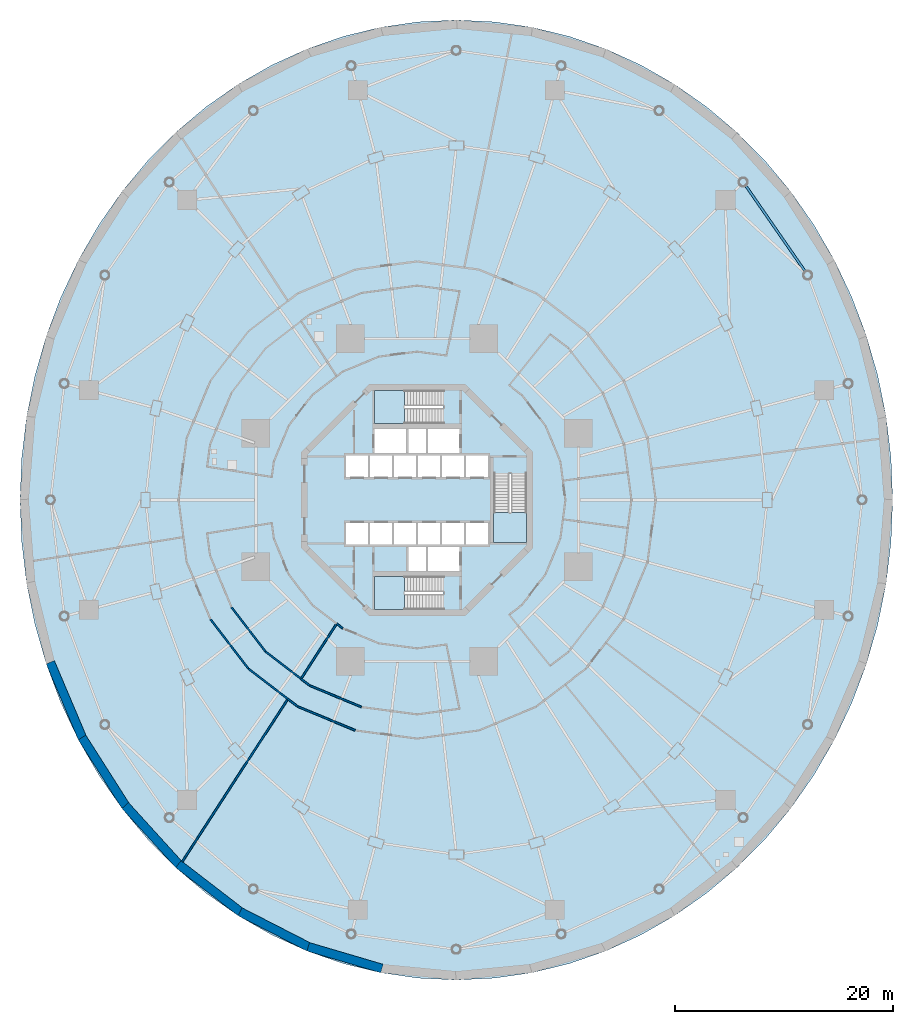
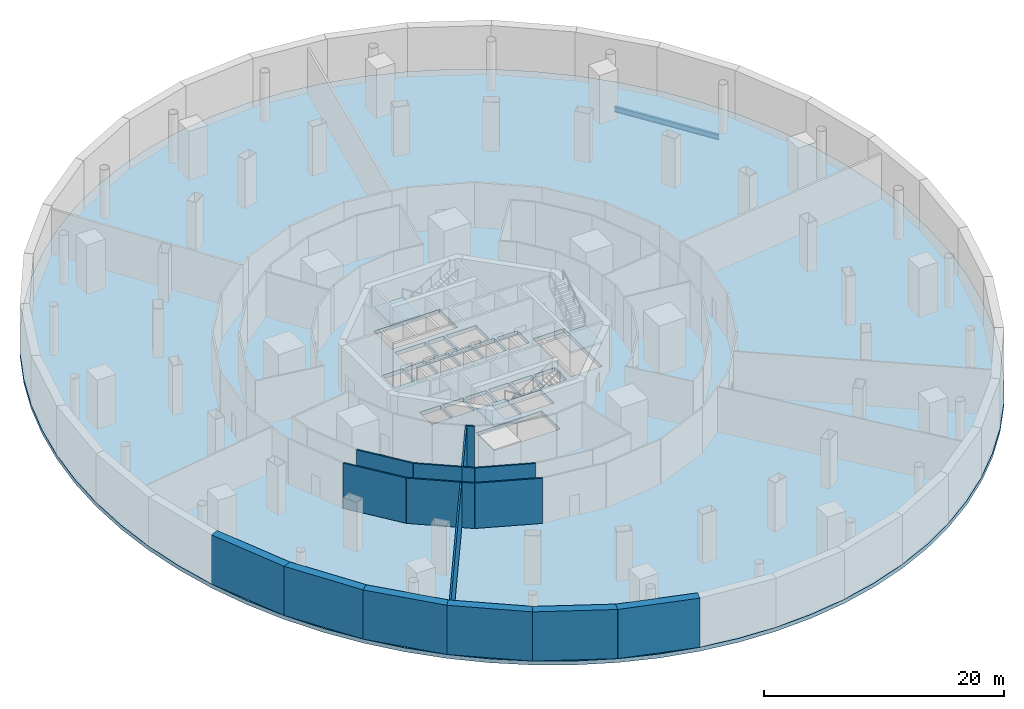
# One storey, part 5 of 14: 17 walls, 4 slabs, 1 beam, 3 elements without a shape of their own.
"""IFC4 building model written with IfcOpenShell, lengths in metres."""

from ifc_helpers import new_model, si_unit, direction, frame, frame_2d, origin, origin_2d, place, context, subcontext, project, spatial, polyline, rectangle, i_section, outline, extrude, material, layer, layer_set, material_profile, profile_set, type_object, element, aggregate, save


model = new_model("IFC4")

# Units and contexts
model_context = context("Model", 3, precision=1e-05, world=origin(), true_north=direction((0.0, 1.0)))
body_context = subcontext(model_context, "Body", "Model", "MODEL_VIEW")
ifc_project = project(units=[si_unit("LENGTHUNIT", "METRE"), si_unit("AREAUNIT", "SQUARE_METRE"), si_unit("VOLUMEUNIT", "CUBIC_METRE"), si_unit("PLANEANGLEUNIT", "RADIAN"), si_unit("MASSUNIT", "GRAM", prefix="KILO")], contexts=[model_context])

# Site, building, storey
site_placement = place(None, origin())
site = spatial("IfcSite", under=ifc_project, at=site_placement, CompositionType="ELEMENT")
building_placement = place(site_placement, origin())
building = spatial("IfcBuilding", under=site, at=building_placement, Name="Nagisa Residences", CompositionType="ELEMENT")
storey_placement = place(building_placement, frame((0.0, 0.0, -5.0)))
storey = spatial("IfcBuildingStorey", under=building, at=storey_placement, Name="B1", CompositionType="ELEMENT", Elevation=-5.0)

# Beam
ifc_material_1 = material(Name="Steel ASTM A572 Gr 50", Category="steel")
ifc_material_profile = material_profile(ifc_material_1, i_section(OverallWidth=0.214111328125, OverallDepth=0.549072265625, WebThickness=0.0146484375, FlangeThickness=0.023681640625, at=origin_2d()), Name="W530x138")
ifc_profile_set = profile_set([ifc_material_profile], Name="Steel ASTM A572 Gr 50")
beam_type = type_object("IfcBeamType", Name="Atrium ring beam W530x138", PredefinedType="BEAM", material=ifc_profile_set)
beam_placement = place(storey_placement, frame((35.595947265625, 20.917724609375, -0.674560546875), z_axis=(-0.569488756983, 0.821999121453, 0.0), x_axis=(-0.821999121453, -0.569488756983, 0.0)))
element("IfcBeam", 1, at=beam_placement, inside=storey, type_object=beam_type, Name="beam:B1:ab03", PredefinedType="BEAM", context=body_context, shape_type="SweptSolid", body=[
    extrude(i_section(OverallWidth=0.214111328125, OverallDepth=0.549072265625, WebThickness=0.0146484375, FlangeThickness=0.023681640625, at=origin_2d()), origin(), (0.0, 0.0, 1.0), 9.607666015625),
])

# Slab
ifc_material_2 = material(Name="Concrete C40", Category="concrete")
ifc_layer_1 = layer(ifc_material_2, 0.39990234375)
ifc_layer_set_1 = layer_set([ifc_layer_1], Name="Floor slab 400")
slab_type_1 = type_object("IfcSlabType", Name="Floor slab 400", PredefinedType="FLOOR", material=ifc_layer_set_1)
slab_1_placement = place(storey_placement, frame((0.0, 0.0, -0.39990234375)))
element("IfcSlab", 2, at=slab_1_placement, inside=storey, type_object=slab_type_1, Name="slab:B1:floor", PredefinedType="FLOOR", context=body_context, shape_type="SweptSolid", body=[
    extrude(outline(polyline([(43.60009765625, 0.0), (43.44775390625, 3.8349609375), (42.992431640625, 7.640625), (42.237060546875, 11.387939453125), (41.187744140625, 15.048828125), (39.852294921875, 18.59521484375), (38.240966796875, 22.0), (36.365966796875, 25.2373046875), (34.24169921875, 28.28271484375), (31.88427734375, 31.11279296875), (29.3115234375, 33.7060546875), (26.54296875, 36.042724609375), (23.60009765625, 38.105224609375), (20.504638671875, 39.87744140625), (17.28076171875, 41.346435546875), (13.952880859375, 42.500732421875), (10.5458984375, 43.33154296875), (7.086181640625, 43.83251953125), (3.60009765625, 44.0), (0.11376953125, 43.83251953125), (-3.345947265625, 43.33154296875), (-6.752685546875, 42.500732421875), (-10.080810546875, 41.346435546875), (-13.3046875, 39.87744140625), (-16.39990234375, 38.105224609375), (-19.343017578125, 36.042724609375), (-22.111572265625, 33.7060546875), (-24.684326171875, 31.11279296875), (-27.041748046875, 28.28271484375), (-29.166015625, 25.2373046875), (-31.041015625, 22.0), (-32.65234375, 18.59521484375), (-33.98779296875, 15.048828125), (-35.037109375, 11.387939453125), (-35.792236328125, 7.640625), (-36.247802734375, 3.8349609375), (-36.39990234375, 0.0), (-36.247802734375, -3.8349609375), (-35.792236328125, -7.640625), (-35.037109375, -11.387939453125), (-33.98779296875, -15.048828125), (-32.65234375, -18.59521484375), (-31.041015625, -22.0), (-29.166015625, -25.2373046875), (-27.041748046875, -28.28271484375), (-24.684326171875, -31.11279296875), (-22.111572265625, -33.7060546875), (-19.343017578125, -36.042724609375), (-16.39990234375, -38.105224609375), (-13.3046875, -39.87744140625), (-10.080810546875, -41.346435546875), (-6.752685546875, -42.500732421875), (-3.345947265625, -43.33154296875), (0.11376953125, -43.83251953125), (3.60009765625, -44.0), (7.086181640625, -43.83251953125), (10.5458984375, -43.33154296875), (13.952880859375, -42.500732421875), (17.28076171875, -41.346435546875), (20.504638671875, -39.87744140625), (23.60009765625, -38.105224609375), (26.54296875, -36.042724609375), (29.3115234375, -33.7060546875), (31.88427734375, -31.11279296875), (34.24169921875, -28.28271484375), (36.365966796875, -25.2373046875), (38.240966796875, -22.0), (39.852294921875, -18.59521484375), (41.187744140625, -15.048828125), (42.237060546875, -11.387939453125), (42.992431640625, -7.640625), (43.44775390625, -3.8349609375), (43.60009765625, 0.0)]), holes=[polyline([(-4.5, 2.10009765625), (-4.5, 4.10009765625), (-6.5, 4.10009765625), (-6.5, 2.10009765625), (-4.5, 2.10009765625)]), polyline([(-2.300048828125, 2.10009765625), (-2.300048828125, 4.10009765625), (-4.300048828125, 4.10009765625), (-4.300048828125, 2.10009765625), (-2.300048828125, 2.10009765625)]), polyline([(-0.10009765625, 2.10009765625), (-0.10009765625, 4.10009765625), (-2.10009765625, 4.10009765625), (-2.10009765625, 2.10009765625), (-0.10009765625, 2.10009765625)]), polyline([(2.10009765625, 2.10009765625), (2.10009765625, 4.10009765625), (0.10009765625, 4.10009765625), (0.10009765625, 2.10009765625), (2.10009765625, 2.10009765625)]), polyline([(4.300048828125, 2.10009765625), (4.300048828125, 4.10009765625), (2.300048828125, 4.10009765625), (2.300048828125, 2.10009765625), (4.300048828125, 2.10009765625)]), polyline([(6.5, 2.10009765625), (6.5, 4.10009765625), (4.5, 4.10009765625), (4.5, 2.10009765625), (6.5, 2.10009765625)]), polyline([(-4.5, -4.10009765625), (-4.5, -2.10009765625), (-6.5, -2.10009765625), (-6.5, -4.10009765625), (-4.5, -4.10009765625)]), polyline([(-2.300048828125, -4.10009765625), (-2.300048828125, -2.10009765625), (-4.300048828125, -2.10009765625), (-4.300048828125, -4.10009765625), (-2.300048828125, -4.10009765625)]), polyline([(-0.10009765625, -4.10009765625), (-0.10009765625, -2.10009765625), (-2.10009765625, -2.10009765625), (-2.10009765625, -4.10009765625), (-0.10009765625, -4.10009765625)]), polyline([(2.10009765625, -4.10009765625), (2.10009765625, -2.10009765625), (0.10009765625, -2.10009765625), (0.10009765625, -4.10009765625), (2.10009765625, -4.10009765625)]), polyline([(4.300048828125, -4.10009765625), (4.300048828125, -2.10009765625), (2.300048828125, -2.10009765625), (2.300048828125, -4.10009765625), (4.300048828125, -4.10009765625)]), polyline([(6.5, -4.10009765625), (6.5, -2.10009765625), (4.5, -2.10009765625), (4.5, -4.10009765625), (6.5, -4.10009765625)]), polyline([(3.89990234375, 4.300048828125), (3.89990234375, 6.5), (1.0, 6.5), (1.0, 4.300048828125), (3.89990234375, 4.300048828125)]), polyline([(3.89990234375, -6.5), (3.89990234375, -4.300048828125), (1.0, -4.300048828125), (1.0, -6.5), (3.89990234375, -6.5)]), polyline([(-1.0, 4.300048828125), (-1.0, 6.5), (-3.89990234375, 6.5), (-3.89990234375, 4.300048828125), (-1.0, 4.300048828125)]), polyline([(0.800048828125, 4.300048828125), (0.800048828125, 6.5), (-0.800048828125, 6.5), (-0.800048828125, 4.300048828125), (0.800048828125, 4.300048828125)]), polyline([(0.800048828125, -6.5), (0.800048828125, -4.300048828125), (-0.800048828125, -4.300048828125), (-0.800048828125, -6.5), (0.800048828125, -6.5)]), polyline([(10.024658203125, -3.89990234375), (7.024658203125, -3.89990234375), (7.024658203125, 2.425048828125), (10.024658203125, 2.425048828125), (10.024658203125, -3.89990234375)]), polyline([(-3.89990234375, 7.024658203125), (-3.89990234375, 10.024658203125), (2.425048828125, 10.024658203125), (2.425048828125, 7.024658203125), (-3.89990234375, 7.024658203125)]), polyline([(-3.89990234375, -10.024658203125), (-3.89990234375, -7.024658203125), (2.425048828125, -7.024658203125), (2.425048828125, -10.024658203125), (-3.89990234375, -10.024658203125)])]), origin(), (0.0, 0.0, 1.0), 0.39990234375),
])

# Stair, slab
ifc_material_3 = material(Name="Concrete C60", Category="concrete")
stair_type = type_object("IfcStairType", Name="Exit stair", PredefinedType="HALF_TURN_STAIR", material=ifc_material_3)
stair_1_placement = place(storey_placement, origin())
stair_1 = element("IfcStair", 3, at=stair_1_placement, inside=storey, type_object=stair_type, Name="B1 Exit stair E", PredefinedType="HALF_TURN_STAIR")
ifc_material_4 = material(Name="Concrete C60", Category="concrete")
ifc_layer_2 = layer(ifc_material_4, 0.199951171875)
ifc_layer_set_2 = layer_set([ifc_layer_2], Name="Stair landing")
slab_type_2 = type_object("IfcSlabType", Name="Stair landing", PredefinedType="LANDING", material=ifc_layer_set_2)
slab_2_placement = place(storey_placement, frame((0.0, 0.0, 2.300048828125)))
slab_2 = element("IfcSlab", 4, at=slab_2_placement, type_object=slab_type_2, Name="ST-E landing 1", PredefinedType="LANDING", context=body_context, shape_type="SweptSolid", body=[
    extrude(outline(polyline([(7.024658203125, -1.1650390625), (7.024658203125, -3.89990234375), (10.024658203125, -3.89990234375), (10.024658203125, -1.1650390625), (7.024658203125, -1.1650390625)])), origin(), (0.0, 0.0, 1.0), 0.199951171875),
])
aggregate(stair_1, [slab_2])

stair_2_placement = place(storey_placement, origin())
stair_2 = element("IfcStair", 5, at=stair_2_placement, inside=storey, type_object=stair_type, Name="B1 Exit stair N", PredefinedType="HALF_TURN_STAIR")
slab_3_placement = place(storey_placement, frame((0.0, 0.0, 2.300048828125)))
slab_3 = element("IfcSlab", 6, at=slab_3_placement, type_object=slab_type_2, Name="ST-N landing 1", PredefinedType="LANDING", context=body_context, shape_type="SweptSolid", body=[
    extrude(outline(polyline([(-1.1650390625, 10.024658203125), (-3.89990234375, 10.024658203125), (-3.89990234375, 7.024658203125), (-1.1650390625, 7.024658203125), (-1.1650390625, 10.024658203125)])), origin(), (0.0, 0.0, 1.0), 0.199951171875),
])
aggregate(stair_2, [slab_3])

stair_3_placement = place(storey_placement, origin())
stair_3 = element("IfcStair", 7, at=stair_3_placement, inside=storey, type_object=stair_type, Name="B1 Exit stair S", PredefinedType="HALF_TURN_STAIR")
slab_4_placement = place(storey_placement, frame((0.0, 0.0, 2.300048828125)))
slab_4 = element("IfcSlab", 8, at=slab_4_placement, type_object=slab_type_2, Name="ST-S landing 1", PredefinedType="LANDING", context=body_context, shape_type="SweptSolid", body=[
    extrude(outline(polyline([(-1.1650390625, -7.024658203125), (-3.89990234375, -7.024658203125), (-3.89990234375, -10.024658203125), (-1.1650390625, -10.024658203125), (-1.1650390625, -7.024658203125)])), origin(), (0.0, 0.0, 1.0), 0.199951171875),
])
aggregate(stair_3, [slab_4])

# Walls
ifc_material_5 = material(Name="Concrete C40", Category="concrete")
ifc_layer_3 = layer(ifc_material_5, 0.800048828125)
ifc_layer_set_3 = layer_set([ifc_layer_3], Name="Basement retaining wall 800")
wall_type_1 = type_object("IfcWallType", Name="Basement retaining wall 800", PredefinedType="SOLIDWALL", material=ifc_layer_set_3)
wall_1_placement = place(storey_placement, frame((-3.2216796875, -42.95263671875, 0.0), z_axis=(0.0, 0.0, 1.0), x_axis=(-0.959194279998, 0.282747826197, 0.0)))
element("IfcWall", 9, at=wall_1_placement, inside=storey, type_object=wall_type_1, Name="wall:B1:ret11", PredefinedType="SOLIDWALL", context=body_context, shape_type="SweptSolid", body=[
    extrude(rectangle(XDim=7.0458984375, YDim=0.800048828125, at=frame_2d((3.52294921875, 0.0))), origin(), (0.0, 0.0, 1.0), 5.0),
])
wall_2_placement = place(storey_placement, frame((-9.887451171875, -40.99755859375, 0.0), z_axis=(0.0, 0.0, 1.0), x_axis=(-0.889769676124, 0.456409819625, 0.0)))
element("IfcWall", 10, at=wall_2_placement, inside=storey, type_object=wall_type_1, Name="wall:B1:ret12", PredefinedType="SOLIDWALL", context=body_context, shape_type="SweptSolid", body=[
    extrude(rectangle(XDim=7.128173828125, YDim=0.800048828125, at=frame_2d((3.56396484375, 0.0))), origin(), (0.0, 0.0, 1.0), 5.0),
])
wall_3_placement = place(storey_placement, frame((-16.145751953125, -37.797607421875, 0.0), z_axis=(0.0, 0.0, 1.0), x_axis=(-0.792235092298, 0.610215993343, 0.0)))
element("IfcWall", 11, at=wall_3_placement, inside=storey, type_object=wall_type_1, Name="wall:B1:ret13", PredefinedType="SOLIDWALL", context=body_context, shape_type="SweptSolid", body=[
    extrude(rectangle(XDim=7.237548828125, YDim=0.800048828125, at=frame_2d((3.61865234375, 0.0))), origin(), (0.0, 0.0, 1.0), 5.0),
])
wall_4_placement = place(storey_placement, frame((-21.806396484375, -33.44873046875, 0.0), z_axis=(0.0, 0.0, 1.0), x_axis=(-0.672652980875, 0.73995808484, 0.0)))
element("IfcWall", 12, at=wall_4_placement, inside=storey, type_object=wall_type_1, Name="wall:B1:ret14", PredefinedType="SOLIDWALL", context=body_context, shape_type="SweptSolid", body=[
    extrude(rectangle(XDim=7.35986328125, YDim=0.800048828125, at=frame_2d((3.679931640625, 0.0))), origin(), (0.0, 0.0, 1.0), 5.0),
])
wall_5_placement = place(storey_placement, frame((-26.696533203125, -28.08203125, 0.0), z_axis=(0.0, 0.0, 1.0), x_axis=(-0.53698952756, 0.843588908943, 0.0)))
element("IfcWall", 13, at=wall_5_placement, inside=storey, type_object=wall_type_1, Name="wall:B1:ret15", PredefinedType="SOLIDWALL", context=body_context, shape_type="SweptSolid", body=[
    extrude(rectangle(XDim=7.480224609375, YDim=0.800048828125, at=frame_2d((3.740234375, 0.0))), origin(), (0.0, 0.0, 1.0), 5.0),
])
wall_6_placement = place(storey_placement, frame((-30.6669921875, -21.85986328125, 0.0), z_axis=(0.0, 0.0, 1.0), x_axis=(-0.390299354435, 0.920688011179, 0.0)))
element("IfcWall", 14, at=wall_6_placement, inside=storey, type_object=wall_type_1, Name="wall:B1:ret16", PredefinedType="SOLIDWALL", context=body_context, shape_type="SweptSolid", body=[
    extrude(rectangle(XDim=7.58447265625, YDim=0.800048828125, at=frame_2d((3.792236328125, 0.0))), origin(), (0.0, 0.0, 1.0), 5.0),
])
ifc_material_6 = material(Name="Gypsum board on steel studs", Category="steel")
ifc_layer_4 = layer(ifc_material_6, 0.14990234375)
ifc_layer_set_4 = layer_set([ifc_layer_4], Name="Room partition EI60 150")
wall_type_2 = type_object("IfcWallType", Name="Room partition EI60 150", PredefinedType="PARTITIONING", material=ifc_layer_set_4)
wall_7_placement = place(storey_placement, frame((-17.01171875, -9.835205078125, 0.0), z_axis=(0.0, 0.0, 1.0), x_axis=(0.608760705644, -0.793353895348, 0.0)))
element("IfcWall", 15, at=wall_7_placement, inside=storey, type_object=wall_type_2, Name="wall:B1:am011", PredefinedType="PARTITIONING", context=body_context, shape_type="SweptSolid", body=[
    extrude(rectangle(XDim=5.1064453125, YDim=0.14990234375, at=frame_2d((2.55322265625, 0.0))), origin(), (0.0, 0.0, 1.0), 4.60009765625),
])
wall_8_placement = place(storey_placement, frame((-15.47216796875, -15.45556640625, 0.0), z_axis=(0.0, 0.0, 1.0), x_axis=(-0.608757822828, 0.793356107398, 0.0)))
element("IfcWall", 16, at=wall_8_placement, inside=storey, type_object=wall_type_2, Name="wall:B1:am013", PredefinedType="PARTITIONING", context=body_context, shape_type="SweptSolid", body=[
    extrude(rectangle(XDim=5.685546875, YDim=0.14990234375, at=frame_2d((2.8427734375, 0.0))), origin(), (0.0, 0.0, 1.0), 4.60009765625),
])
wall_9_placement = place(storey_placement, frame((-13.886474609375, -13.903076171875, 0.0), z_axis=(0.0, 0.0, 1.0), x_axis=(0.793356294792, -0.608757578609, 0.0)))
element("IfcWall", 17, at=wall_9_placement, inside=storey, type_object=wall_type_2, Name="wall:B1:am015", PredefinedType="PARTITIONING", context=body_context, shape_type="SweptSolid", body=[
    extrude(rectangle(XDim=4.086669921875, YDim=0.14990234375, at=frame_2d((2.04345703125, 0.0))), origin(), (0.0, 0.0, 1.0), 4.60009765625),
])
wall_10_placement = place(storey_placement, frame((-11.88720703125, -18.3046875, 0.0), z_axis=(0.0, 0.0, 1.0), x_axis=(-0.544635811305, -0.838672661438, 0.0)))
element("IfcWall", 18, at=wall_10_placement, inside=storey, type_object=wall_type_2, Name="wall:B1:am021", PredefinedType="PARTITIONING", context=body_context, shape_type="SweptSolid", body=[
    extrude(rectangle(XDim=17.69873046875, YDim=0.14990234375, at=frame_2d((8.849365234375, 0.0))), origin(), (0.0, 0.0, 1.0), 4.60009765625),
])
wall_11_placement = place(storey_placement, frame((-11.84619140625, -18.24169921875, 0.0), z_axis=(0.0, 0.0, 1.0), x_axis=(-0.793357543816, 0.608755950829, 0.0)))
element("IfcWall", 19, at=wall_11_placement, inside=storey, type_object=wall_type_2, Name="wall:B1:am022", PredefinedType="PARTITIONING", context=body_context, shape_type="SweptSolid", body=[
    extrude(rectangle(XDim=4.549560546875, YDim=0.14990234375, at=frame_2d((2.27490234375, 0.0))), origin(), (0.0, 0.0, 1.0), 4.60009765625),
])
wall_12_placement = place(storey_placement, frame((-10.94482421875, -18.933349609375, 0.0), z_axis=(0.0, 0.0, 1.0), x_axis=(-0.793350355506, 0.608765318837, 0.0)))
element("IfcWall", 20, at=wall_12_placement, inside=storey, type_object=wall_type_2, Name="wall:B1:am025", PredefinedType="PARTITIONING", context=body_context, shape_type="SweptSolid", body=[
    extrude(rectangle(XDim=1.13623046875, YDim=0.14990234375, at=frame_2d((0.568115234375, 0.0))), origin(), (0.0, 0.0, 1.0), 4.60009765625),
])
wall_13_placement = place(storey_placement, frame((-10.644287109375, -16.390869140625, 0.0), z_axis=(0.0, 0.0, 1.0), x_axis=(0.793344280216, -0.608773236147, 0.0)))
element("IfcWall", 21, at=wall_13_placement, inside=storey, type_object=wall_type_2, Name="wall:B1:am026", PredefinedType="PARTITIONING", context=body_context, shape_type="SweptSolid", body=[
    extrude(rectangle(XDim=1.019775390625, YDim=0.14990234375, at=frame_2d((0.509765625, 0.0))), origin(), (0.0, 0.0, 1.0), 4.60009765625),
])
wall_14_placement = place(storey_placement, frame((-9.81494140625, -17.0234375, 0.0), z_axis=(0.0, 0.0, 1.0), x_axis=(0.923883976017, -0.382672704618, 0.0)))
element("IfcWall", 22, at=wall_14_placement, inside=storey, type_object=wall_type_2, Name="wall:B1:am028", PredefinedType="PARTITIONING", context=body_context, shape_type="SweptSolid", body=[
    extrude(rectangle(XDim=5.1064453125, YDim=0.14990234375, at=frame_2d((2.55322265625, 0.0))), origin(), (0.0, 0.0, 1.0), 4.60009765625),
])
wall_15_placement = place(storey_placement, frame((-7.407470703125, -11.406494140625, 0.0), z_axis=(0.0, 0.0, 1.0), x_axis=(-0.544646109016, -0.838665973993, 0.0)))
element("IfcWall", 23, at=wall_15_placement, inside=storey, type_object=wall_type_2, Name="wall:B1:am032", PredefinedType="PARTITIONING", context=body_context, shape_type="SweptSolid", body=[
    extrude(rectangle(XDim=5.8681640625, YDim=0.14990234375, at=frame_2d((2.93408203125, 0.0))), origin(), (0.0, 0.0, 1.0), 4.60009765625),
])
wall_16_placement = place(storey_placement, frame((-6.809326171875, -11.770751953125, 0.0), z_axis=(0.0, 0.0, 1.0), x_axis=(-0.793360087844, 0.608752635326, 0.0)))
element("IfcWall", 24, at=wall_16_placement, inside=storey, type_object=wall_type_2, Name="wall:B1:am036", PredefinedType="PARTITIONING", context=body_context, shape_type="SweptSolid", body=[
    extrude(rectangle(XDim=0.7021484375, YDim=0.14990234375, at=frame_2d((0.35107421875, 0.0))), origin(), (0.0, 0.0, 1.0), 4.60009765625),
])
wall_17_placement = place(storey_placement, frame((-5.671630859375, -21.120849609375, 0.0), z_axis=(0.0, 0.0, 1.0), x_axis=(-0.923876568882, 0.38269058712, 0.0)))
element("IfcWall", 25, at=wall_17_placement, inside=storey, type_object=wall_type_2, Name="wall:B1:am038", PredefinedType="PARTITIONING", context=body_context, shape_type="SweptSolid", body=[
    extrude(rectangle(XDim=5.685546875, YDim=0.14990234375, at=frame_2d((2.8427734375, 0.0))), origin(), (0.0, 0.0, 1.0), 4.60009765625),
])

save(model, "model.ifc")
